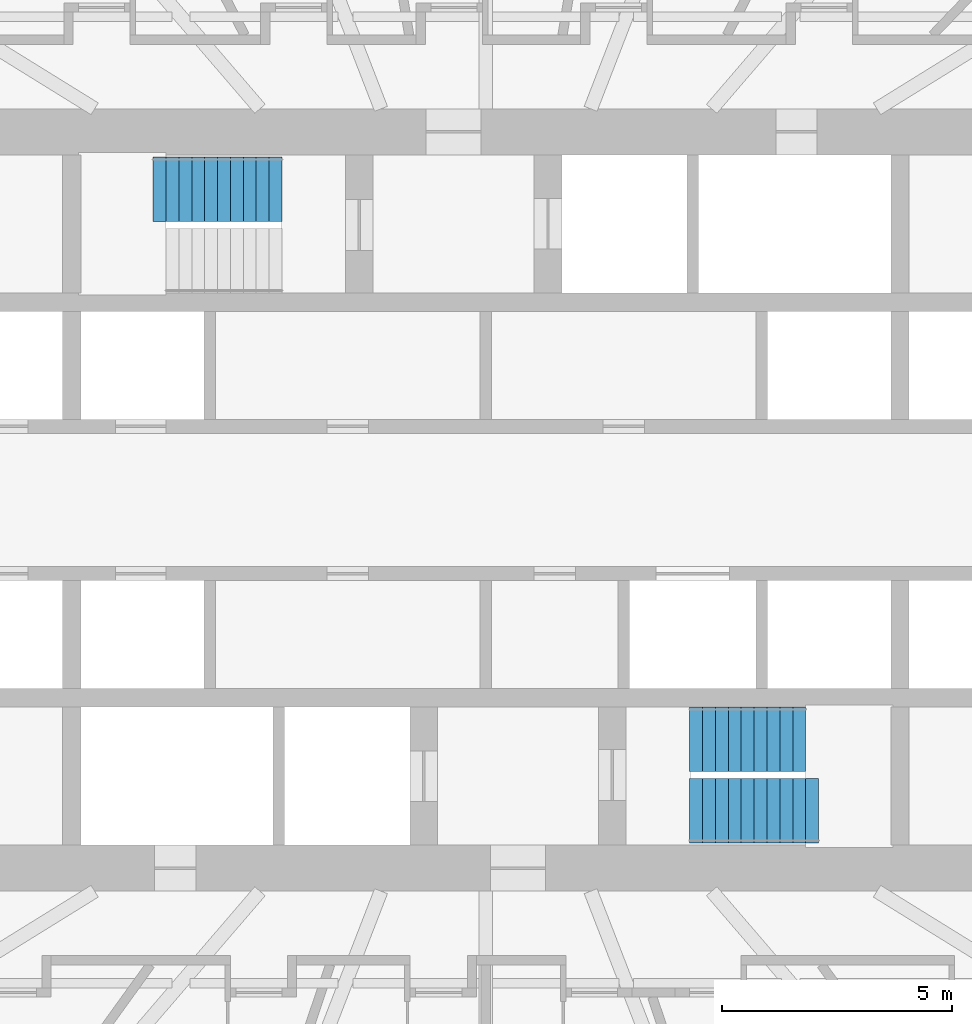
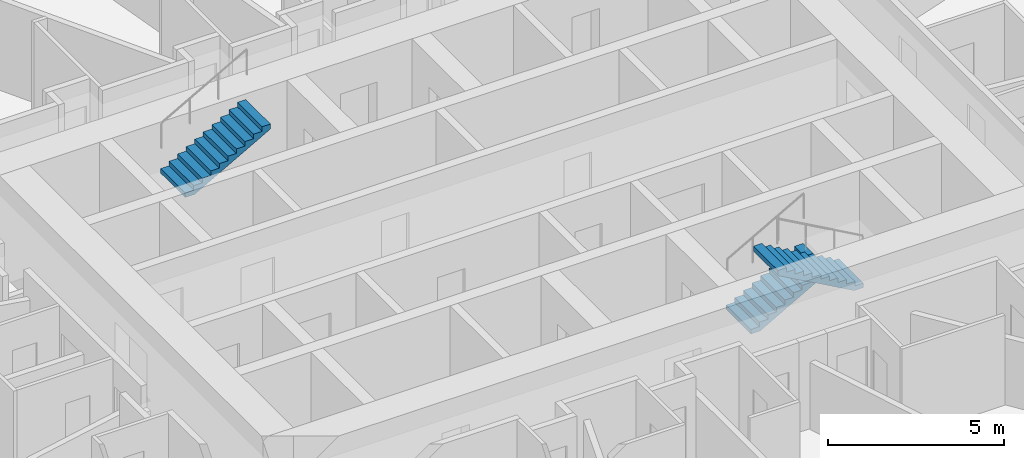
# One storey, part 13 of 14: 3 stair flights, 2 elements without a shape of their own.
"""IFC4 building model written with IfcOpenShell, lengths in metres."""

import ifcopenshell
import ifcopenshell.guid

model = None  # the IFC model being written
_history = None  # IfcOwnerHistory: only IFC2X3 demands one
_inside = {}  # id of a spatial element -> (the spatial element, [elements in it])
_under = {}  # id of a project, library or spatial element -> (it, [spatial elements below it])
_declared = {}  # id of a project -> (the project, [libraries it declares])
_typed = {}  # id of a type object -> (the type object, [elements of that type])
_made_of = {}  # id of a material, layer set ... -> (it, [elements and type objects made of it])


def new_model(schema):
    """Start an empty IFC model of exactly this schema.

    Asked for "IFC4X3", IfcOpenShell would pick the latest addendum, in which some entities
    have other attributes; the version numbers below select the first issue.
    IFC2X3 requires an IfcOwnerHistory on every rooted entity: one is made here for all.
    """
    global model, _history
    if schema == "IFC4X3":
        model = ifcopenshell.file(schema_version=(4, 3, 0, 0))
    else:
        model = ifcopenshell.file(schema=schema)
    _inside.clear()
    _under.clear()
    _declared.clear()
    _typed.clear()
    _made_of.clear()
    _history = None
    if model.schema == "IFC2X3":
        org = make("IfcOrganization", Name="unknown")
        user = make(
            "IfcPersonAndOrganization",
            ThePerson=make("IfcPerson", FamilyName="unknown"),
            TheOrganization=org,
        )
        app = make(
            "IfcApplication",
            ApplicationDeveloper=org,
            Version="unknown",
            ApplicationFullName="unknown",
            ApplicationIdentifier="unknown",
        )
        _history = make(
            "IfcOwnerHistory",
            OwningUser=user,
            OwningApplication=app,
            ChangeAction="ADDED",
            CreationDate=0,
        )
    return model


def make(cls, **values):
    """One entity of the class cls with the attributes given. An attribute that is None is left unset."""
    return model.create_entity(
        cls, **{name: value for name, value in values.items() if value is not None}
    )


def rooted(cls, **values):
    """An entity with a GlobalId (a new one), such as an element, a storey or a relation."""
    return make(cls, GlobalId=ifcopenshell.guid.new(), OwnerHistory=_history, **values)


def si_unit(unit_type, name, prefix=None):
    """IfcSIUnit, for example si_unit("LENGTHUNIT", "METRE", prefix="MILLI")."""
    return make("IfcSIUnit", UnitType=unit_type, Prefix=prefix, Name=name)


def assignment(units):
    """IfcUnitAssignment: the units of a project."""
    return None if units is None else make("IfcUnitAssignment", Units=units)


def point(xyz):
    """IfcCartesianPoint."""
    return None if xyz is None else make("IfcCartesianPoint", Coordinates=xyz)


def direction(xyz):
    """IfcDirection."""
    return None if xyz is None else make("IfcDirection", DirectionRatios=xyz)


def frame(location, z_axis=None, x_axis=None):
    """IfcAxis2Placement3D, a coordinate frame: its origin and axes. An axis left out is left unset."""
    return make(
        "IfcAxis2Placement3D",
        Location=point(location),
        Axis=direction(z_axis),
        RefDirection=direction(x_axis),
    )


def origin():
    """The frame at (0, 0, 0) with its axes left unset."""
    return frame((0.0, 0.0, 0.0))


def place(relative_to, where):
    """IfcLocalPlacement: puts the frame where relative to a parent placement (None: the world)."""
    return make(
        "IfcLocalPlacement", PlacementRelTo=relative_to, RelativePlacement=where
    )


def context(
    kind, dimensions, precision=None, world=None, true_north=None, identifier=None
):
    """IfcGeometricRepresentationContext, for example the 3D "Model" context."""
    return make(
        "IfcGeometricRepresentationContext",
        ContextIdentifier=identifier,
        ContextType=kind,
        CoordinateSpaceDimension=dimensions,
        Precision=precision,
        WorldCoordinateSystem=world,
        TrueNorth=true_north,
    )


def subcontext(parent, identifier, kind, view, scale=None):
    """IfcGeometricRepresentationSubContext, for example "Body" below "Model"."""
    return make(
        "IfcGeometricRepresentationSubContext",
        ContextIdentifier=identifier,
        ContextType=kind,
        ParentContext=parent,
        TargetScale=scale,
        TargetView=view,
    )


def project(units=None, contexts=None):
    """IfcProject with its units and contexts."""
    return rooted(
        "IfcProject",
        Name="project",
        RepresentationContexts=contexts,
        UnitsInContext=assignment(units),
    )


def spatial(cls, under=None, at=None, **own):
    """A site, building, storey or space (cls), placed at a placement, below another one or the project."""
    s = rooted(cls, ObjectPlacement=at, **own)
    if under is not None:
        _under.setdefault(under.id(), (under, []))[1].append(s)
    return s


def polyline(points):
    """IfcPolyline through the points."""
    return make("IfcPolyline", Points=[point(p) for p in points])


def outline(outer, holes=None, kind="AREA"):
    """IfcArbitraryClosedProfileDef: a profile drawn as a closed curve; with holes, ...WithVoids."""
    if holes is None:
        return make("IfcArbitraryClosedProfileDef", ProfileType=kind, OuterCurve=outer)
    return make(
        "IfcArbitraryProfileDefWithVoids",
        ProfileType=kind,
        OuterCurve=outer,
        InnerCurves=holes,
    )


def extrude(swept, where, along, depth):
    """IfcExtrudedAreaSolid: the profile swept, set in the frame where, extruded along a direction by depth."""
    return make(
        "IfcExtrudedAreaSolid",
        SweptArea=swept,
        Position=where,
        ExtrudedDirection=direction(along),
        Depth=depth,
    )


def shape(context_of_items, identifier, shape_type, items):
    """IfcShapeRepresentation: the items that make up one representation, for example the "Body"."""
    return make(
        "IfcShapeRepresentation",
        ContextOfItems=context_of_items,
        RepresentationIdentifier=identifier,
        RepresentationType=shape_type,
        Items=items,
    )


def material(Name=None, Category=None):
    """IfcMaterial."""
    return make("IfcMaterial", Name=Name, Category=Category)


def made_of(thing, what):
    """Note that an element or type object is made of a material, layer set ...; save() writes the relation."""
    if what is not None:
        _made_of.setdefault(what.id(), (what, []))[1].append(thing)
    return thing


def type_object(cls, material=None, **own):
    """A type object (cls), such as IfcWallType, which elements share."""
    return made_of(rooted(cls, **own), material)


def element(
    cls,
    number,
    at=None,
    inside=None,
    cuts=None,
    type_object=None,
    material=None,
    context=None,
    identifier="Body",
    shape_type=None,
    held_by="IfcProductDefinitionShape",
    body=None,
    shapes=None,
    **own,
):
    """One element of the class cls, such as IfcWall. Its Tag is "e" and its number.

    at: its placement. inside: the storey or other place that contains it. cuts: it is an
    opening in that element (IfcRelVoidsElement). A single representation is given by context,
    identifier, shape_type and body (its items); several are given by shapes. held_by: the class
    of the entity that holds the representations. save() writes the other relations.
    """
    e = rooted(cls, Tag="e%d" % number, ObjectPlacement=at, **own)
    if body is not None:
        shapes = [shape(context, identifier, shape_type, body)]
    if shapes is not None:
        e.Representation = make(held_by, Representations=shapes)
    if inside is not None:
        _inside.setdefault(inside.id(), (inside, []))[1].append(e)
    if cuts is not None:
        rooted(
            "IfcRelVoidsElement", RelatingBuildingElement=cuts, RelatedOpeningElement=e
        )
    if type_object is not None:
        _typed.setdefault(type_object.id(), (type_object, []))[1].append(e)
    return made_of(e, material)


def aggregate(whole, parts):
    """IfcRelAggregates: a whole, such as a stair, and the parts it consists of."""
    return rooted("IfcRelAggregates", RelatingObject=whole, RelatedObjects=parts)


def save(model, path):
    """Write the relations noted so far, then the file.

    IfcRelAggregates (storeys below a building ...), IfcRelContainedInSpatialStructure (elements
    in a storey), IfcRelDefinesByType, IfcRelAssociatesMaterial and IfcRelDeclares: one each for
    every whole, place, type object, material and project.
    """
    for whole, parts in _under.values():
        aggregate(whole, parts)
    for where, things in _inside.values():
        rooted(
            "IfcRelContainedInSpatialStructure",
            RelatedElements=things,
            RelatingStructure=where,
        )
    for kind, things in _typed.values():
        rooted("IfcRelDefinesByType", RelatedObjects=things, RelatingType=kind)
    for what, things in _made_of.values():
        rooted("IfcRelAssociatesMaterial", RelatedObjects=things, RelatingMaterial=what)
    for by, libraries in _declared.values():
        rooted("IfcRelDeclares", RelatingContext=by, RelatedDefinitions=libraries)
    model.write(path)


model = new_model("IFC4")

# Units and contexts
model_context = context("Model", 3, precision=1e-05, world=origin(), true_north=direction((0.0, 1.0)))
body_context = subcontext(model_context, "Body", "Model", "MODEL_VIEW")
ifc_project = project(units=[si_unit("LENGTHUNIT", "METRE"), si_unit("AREAUNIT", "SQUARE_METRE"), si_unit("VOLUMEUNIT", "CUBIC_METRE"), si_unit("PLANEANGLEUNIT", "RADIAN"), si_unit("MASSUNIT", "GRAM", prefix="KILO")], contexts=[model_context])

# Site, building, storey
site_placement = place(None, origin())
site = spatial("IfcSite", under=ifc_project, at=site_placement, CompositionType="ELEMENT")
building_placement = place(site_placement, origin())
building = spatial("IfcBuilding", under=site, at=building_placement, Name="Hankou Lantern Tower", CompositionType="ELEMENT")
storey_placement = place(building_placement, frame((0.0, 0.0, 50.699951171875)))
storey = spatial("IfcBuildingStorey", under=building, at=storey_placement, Name="L11", CompositionType="ELEMENT", Elevation=50.699951171875)

# Stair, stair flight
ifc_material_1 = material(Name="Concrete C40", Category="concrete")
stair_type = type_object("IfcStairType", Name="ST33 CORE STAIR 3300 RISE", PredefinedType="HALF_TURN_STAIR", material=ifc_material_1)
stair_1_placement = place(storey_placement, origin())
stair_1 = element("IfcStair", 1, at=stair_1_placement, inside=storey, type_object=stair_type, Name="Stair STB L11", PredefinedType="HALF_TURN_STAIR")
ifc_material_2 = material(Name="Concrete C40", Category="concrete")
stair_flight_type_1 = type_object("IfcStairFlightType", Name="CF10 CORE STAIR FLIGHT 1400 X 10 RISERS", PredefinedType="STRAIGHT", material=ifc_material_2)
stair_flight_1_placement = place(storey_placement, frame((4.429931640625, -5.199951171875, 0.0), z_axis=(0.0, 0.0, 1.0), x_axis=(1.0, 0.0, 0.0)))
stair_flight_1 = element("IfcStairFlight", 2, at=stair_flight_1_placement, type_object=stair_flight_type_1, Name="STB flight 1", NumberOfRisers=10, NumberOfTreads=9, PredefinedType="STRAIGHT", RiserHeight=0.157142857, TreadLength=0.28, context=body_context, shape_type="SweptSolid", body=[
    extrude(outline(polyline([(0.0, 0.0), (0.0, 0.1572265625), (0.280029296875, 0.1572265625), (0.280029296875, 0.314208984375), (0.56005859375, 0.314208984375), (0.56005859375, 0.471435546875), (0.840087890625, 0.471435546875), (0.840087890625, 0.628662109375), (1.1201171875, 0.628662109375), (1.1201171875, 0.78564453125), (1.39990234375, 0.78564453125), (1.39990234375, 0.94287109375), (1.679931640625, 0.94287109375), (1.679931640625, 1.10009765625), (1.9599609375, 1.10009765625), (1.9599609375, 1.257080078125), (2.239990234375, 1.257080078125), (2.239990234375, 1.414306640625), (2.52001953125, 1.414306640625), (2.52001953125, 1.571533203125), (2.52001953125, 1.242431640625), (0.306396484375, 0.0), (0.0, 0.0)])), frame((0.0, 0.699951171875, 0.0), z_axis=(0.0, -1.0, 0.0), x_axis=(1.0, 0.0, 0.0)), (0.0, 0.0, 1.0), 1.39990234375),
])

stair_2_placement = place(storey_placement, origin())
stair_2 = element("IfcStair", 3, at=stair_2_placement, inside=storey, type_object=stair_type, Name="Stair STA L11", PredefinedType="HALF_TURN_STAIR")
ifc_material_3 = material(Name="Concrete C40", Category="concrete")
stair_flight_type_2 = type_object("IfcStairFlightType", Name="CF11 CORE STAIR FLIGHT 1400 X 11 RISERS", PredefinedType="STRAIGHT", material=ifc_material_3)
stair_flight_2_placement = place(storey_placement, frame((-7.22998046875, 6.75, 1.571533203125), z_axis=(0.0, 0.0, 1.0), x_axis=(1.0, 0.0, 0.0)))
stair_flight_2 = element("IfcStairFlight", 4, at=stair_flight_2_placement, type_object=stair_flight_type_2, Name="STA flight 2", NumberOfRisers=11, NumberOfTreads=10, PredefinedType="STRAIGHT", RiserHeight=0.157142857, TreadLength=0.28, context=body_context, shape_type="SweptSolid", body=[
    extrude(outline(polyline([(0.0, 0.0), (0.0, 0.1572265625), (0.280029296875, 0.1572265625), (0.280029296875, 0.314208984375), (0.56005859375, 0.314208984375), (0.56005859375, 0.471435546875), (0.840087890625, 0.471435546875), (0.840087890625, 0.628662109375), (1.1201171875, 0.628662109375), (1.1201171875, 0.78564453125), (1.39990234375, 0.78564453125), (1.39990234375, 0.94287109375), (1.679931640625, 0.94287109375), (1.679931640625, 1.10009765625), (1.9599609375, 1.10009765625), (1.9599609375, 1.257080078125), (2.239990234375, 1.257080078125), (2.239990234375, 1.414306640625), (2.52001953125, 1.414306640625), (2.52001953125, 1.571533203125), (2.800048828125, 1.571533203125), (2.800048828125, 1.728515625), (2.800048828125, 1.3994140625), (0.306396484375, 0.0), (0.0, 0.0)])), frame((0.0, 0.699951171875, 0.0), z_axis=(0.0, -1.0, 0.0), x_axis=(1.0, 0.0, 0.0)), (0.0, 0.0, 1.0), 1.39990234375),
])
aggregate(stair_2, [stair_flight_2])

# Stair flight
stair_flight_3_placement = place(storey_placement, frame((7.22998046875, -6.75, 1.571533203125), z_axis=(0.0, 0.0, 1.0), x_axis=(-1.0, 0.0, 0.0)))
stair_flight_3 = element("IfcStairFlight", 5, at=stair_flight_3_placement, type_object=stair_flight_type_2, Name="STB flight 2", NumberOfRisers=11, NumberOfTreads=10, PredefinedType="STRAIGHT", RiserHeight=0.157142857, TreadLength=0.28, context=body_context, shape_type="SweptSolid", body=[
    extrude(outline(polyline([(0.0, 0.0), (0.0, 0.1572265625), (0.280029296875, 0.1572265625), (0.280029296875, 0.314208984375), (0.56005859375, 0.314208984375), (0.56005859375, 0.471435546875), (0.840087890625, 0.471435546875), (0.840087890625, 0.628662109375), (1.1201171875, 0.628662109375), (1.1201171875, 0.78564453125), (1.39990234375, 0.78564453125), (1.39990234375, 0.94287109375), (1.679931640625, 0.94287109375), (1.679931640625, 1.10009765625), (1.9599609375, 1.10009765625), (1.9599609375, 1.257080078125), (2.239990234375, 1.257080078125), (2.239990234375, 1.414306640625), (2.52001953125, 1.414306640625), (2.52001953125, 1.571533203125), (2.800048828125, 1.571533203125), (2.800048828125, 1.728515625), (2.800048828125, 1.3994140625), (0.306396484375, 0.0), (0.0, 0.0)])), frame((0.0, 0.699951171875, 0.0), z_axis=(0.0, -1.0, 0.0), x_axis=(1.0, 0.0, 0.0)), (0.0, 0.0, 1.0), 1.39990234375),
])

aggregate(stair_1, [stair_flight_1, stair_flight_3])

save(model, "model.ifc")
